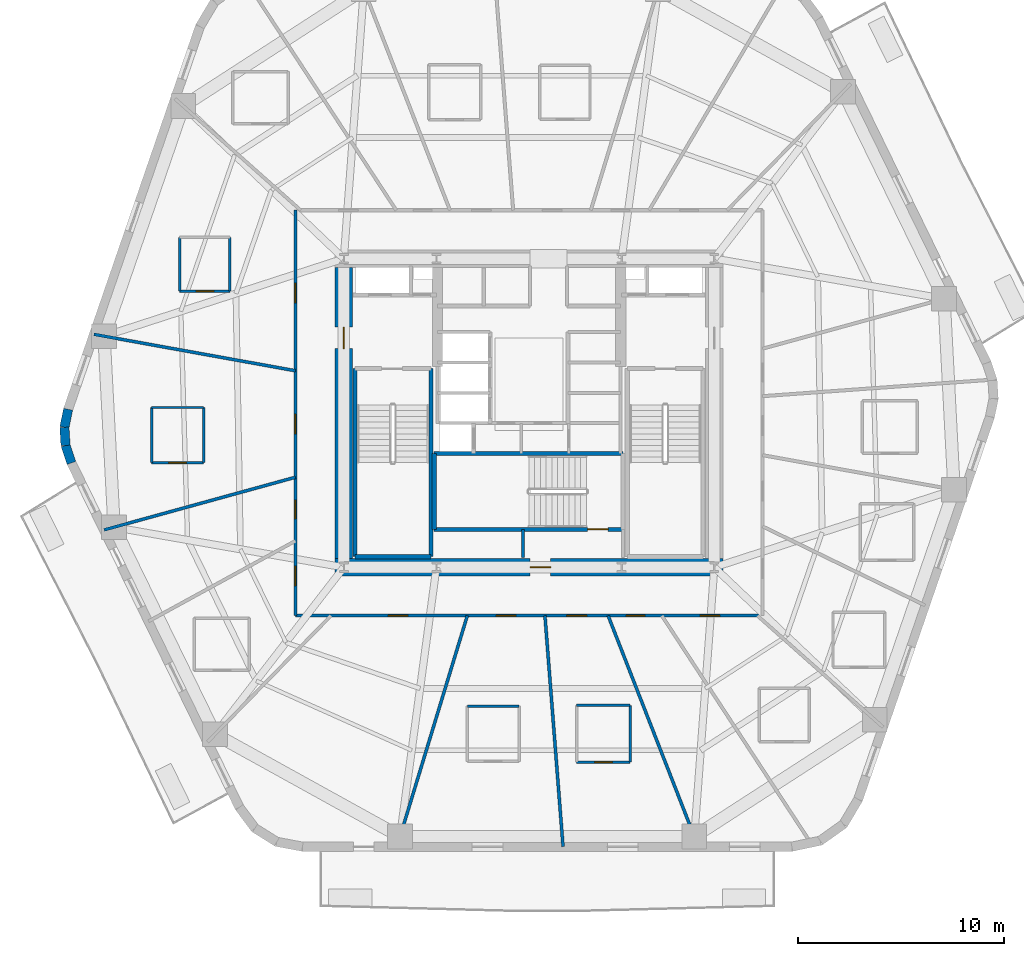
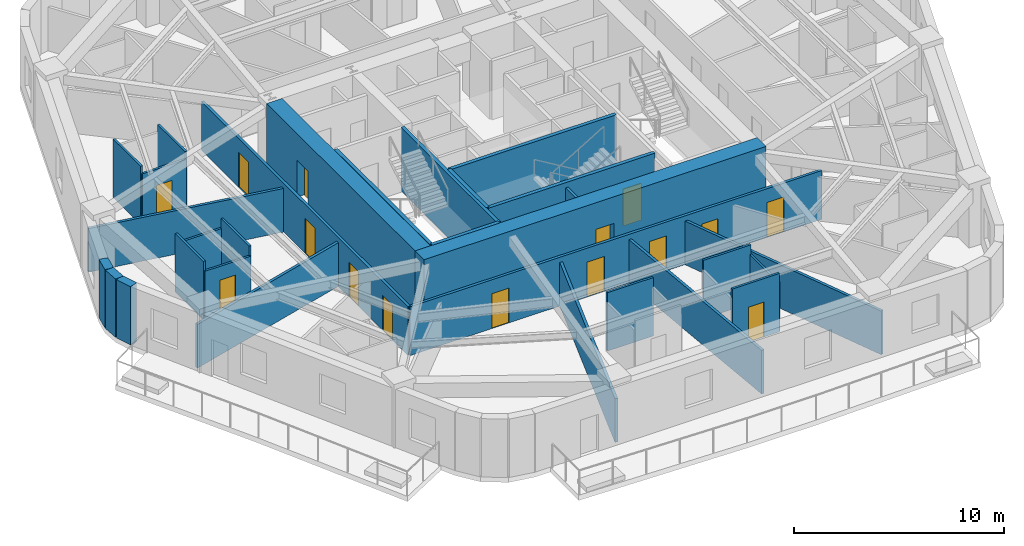
# One storey, part 3 of 10: 30 walls, 15 doors, 15 openings.
"""IFC4 building model written with IfcOpenShell, lengths in metres."""

from ifc_helpers import new_model, si_unit, direction, frame, frame_2d, origin, place, context, subcontext, project, spatial, rectangle, extrude, material, layer, layer_set, type_object, element, fill, save


model = new_model("IFC4")

# Units and contexts
model_context = context("Model", 3, precision=1e-05, world=origin(), true_north=direction((0.0, 1.0)))
body_context = subcontext(model_context, "Body", "Model", "MODEL_VIEW")
ifc_project = project(units=[si_unit("LENGTHUNIT", "METRE"), si_unit("AREAUNIT", "SQUARE_METRE"), si_unit("VOLUMEUNIT", "CUBIC_METRE"), si_unit("PLANEANGLEUNIT", "RADIAN"), si_unit("MASSUNIT", "GRAM", prefix="KILO")], contexts=[model_context])

# Site, building, storey
site_placement = place(None, origin())
site = spatial("IfcSite", under=ifc_project, at=site_placement, CompositionType="ELEMENT")
building_placement = place(site_placement, origin())
building = spatial("IfcBuilding", under=site, at=building_placement, Name="Kilnhurst Terrace Hotel", CompositionType="ELEMENT")
storey_placement = place(building_placement, frame((0.0, 0.0, 91.39990234375)))
storey = spatial("IfcBuildingStorey", under=building, at=storey_placement, Name="L21", CompositionType="ELEMENT", Elevation=91.39990234375)

# Walls
ifc_material_1 = material(Name="Precast concrete C40/50", Category="concrete")
ifc_layer_1 = layer(ifc_material_1, 0.449951171875, Name="Precast concrete C40/50")
ifc_layer_set_1 = layer_set([ifc_layer_1], Name="Precast concrete C40/50")
wall_type_1 = type_object("IfcWallType", Name="WL-BRK-450", PredefinedType="SOLIDWALL", material=ifc_layer_set_1)
wall_1_placement = place(storey_placement, frame((-22.39697265625, 0.17919921875, 0.0), z_axis=(0.0, 0.0, 1.0), x_axis=(-0.199313589404, -0.979935759669, 0.0)))
element("IfcWall", 1, at=wall_1_placement, inside=storey, type_object=wall_type_1, Name="L21 Rounded Corner Brick Wall C6.1", PredefinedType="SOLIDWALL", context=body_context, shape_type="SweptSolid", body=[
    extrude(rectangle(XDim=0.8955078125, YDim=0.449951171875, at=frame_2d((0.44775390625, 0.0))), origin(), (0.0, 0.0, 1.0), 3.400146484375),
])
wall_2_placement = place(storey_placement, frame((-22.575439453125, -0.6982421875, 0.0), z_axis=(0.0, 0.0, 1.0), x_axis=(0.060980441946, -0.998138961117, 0.0)))
element("IfcWall", 2, at=wall_2_placement, inside=storey, type_object=wall_type_1, Name="L21 Rounded Corner Brick Wall C6.2", PredefinedType="SOLIDWALL", context=body_context, shape_type="SweptSolid", body=[
    extrude(rectangle(XDim=0.880859375, YDim=0.449951171875, at=frame_2d((0.4404296875, 0.0))), origin(), (0.0, 0.0, 1.0), 3.400146484375),
])
wall_3_placement = place(storey_placement, frame((-22.521728515625, -1.577392578125, 0.0), z_axis=(0.0, 0.0, 1.0), x_axis=(0.317372694837, -0.948300887151, 0.0)))
element("IfcWall", 3, at=wall_3_placement, inside=storey, type_object=wall_type_1, Name="L21 Rounded Corner Brick Wall C6.3", PredefinedType="SOLIDWALL", context=body_context, shape_type="SweptSolid", body=[
    extrude(rectangle(XDim=0.8955078125, YDim=0.449951171875, at=frame_2d((0.44775390625, 0.0))), origin(), (0.0, 0.0, 1.0), 3.400146484375),
])

# Wall, openings, doors
ifc_material_2 = material(Name="Acoustic Double-Gypsum Corridor Partition Assembly")
ifc_layer_2 = layer(ifc_material_2, 0.14990234375, Name="Acoustic Double-Gypsum Corridor Partition Assembly")
ifc_layer_set_2 = layer_set([ifc_layer_2], Name="Acoustic Double-Gypsum Corridor Partition Assembly")
wall_type_2 = type_object("IfcWallType", Name="WL-COR-150", PredefinedType="PARTITIONING", material=ifc_layer_set_2)
wall_4_placement = place(storey_placement, frame((-11.35009765625, -9.85009765625, 0.0), z_axis=(0.0, 0.0, 1.0), x_axis=(0.0, 1.0, 0.0)))
wall_4 = element("IfcWall", 4, at=wall_4_placement, inside=storey, type_object=wall_type_2, Name="L21 Interior Wall WL-L21-COR-01", PredefinedType="PARTITIONING", context=body_context, shape_type="SweptSolid", body=[
    extrude(rectangle(XDim=19.7001953125, YDim=0.14990234375, at=frame_2d((9.85009765625, 0.0))), origin(), (0.0, 0.0, 1.0), 2.840087890625),
])
opening_1_placement = place(wall_4_placement, frame((15.205078125, 0.0, 0.0)))
opening_1 = element("IfcOpeningElement", 5, at=opening_1_placement, cuts=wall_4, Name="Opening D-60B", PredefinedType="OPENING", context=body_context, shape_type="SweptSolid", body=[
    extrude(rectangle(XDim=0.949951171875, YDim=2.030029296875, at=frame_2d((0.47509765625, 1.01513671875))), frame((0.0, 0.0849609375, 0.0), z_axis=(0.0, -1.0, 0.0), x_axis=(1.0, 0.0, 0.0)), (0.0, 0.0, 1.0), 0.169921875),
])
opening_2_placement = place(wall_4_placement, frame((8.8359375, 0.0, 0.0)))
opening_2 = element("IfcOpeningElement", 6, at=opening_2_placement, cuts=wall_4, Name="Opening D-60B", PredefinedType="OPENING", context=body_context, shape_type="SweptSolid", body=[
    extrude(rectangle(XDim=0.949951171875, YDim=2.030029296875, at=frame_2d((0.47509765625, 1.01513671875))), frame((0.0, 0.0849609375, 0.0), z_axis=(0.0, -1.0, 0.0), x_axis=(1.0, 0.0, 0.0)), (0.0, 0.0, 1.0), 0.169921875),
])
opening_3_placement = place(wall_4_placement, frame((4.714111328125, 0.0, 0.0)))
opening_3 = element("IfcOpeningElement", 7, at=opening_3_placement, cuts=wall_4, Name="Opening D-60C", PredefinedType="OPENING", context=body_context, shape_type="SweptSolid", body=[
    extrude(rectangle(XDim=0.89990234375, YDim=2.030029296875, at=frame_2d((0.449951171875, 1.01513671875))), frame((0.0, 0.0849609375, 0.0), z_axis=(0.0, -1.0, 0.0), x_axis=(1.0, 0.0, 0.0)), (0.0, 0.0, 1.0), 0.169921875),
])
opening_4_placement = place(wall_4_placement, frame((1.4619140625, 0.0, 0.0)))
opening_4 = element("IfcOpeningElement", 8, at=opening_4_placement, cuts=wall_4, Name="Opening D-60B", PredefinedType="OPENING", context=body_context, shape_type="SweptSolid", body=[
    extrude(rectangle(XDim=0.949951171875, YDim=2.030029296875, at=frame_2d((0.47509765625, 1.01513671875))), frame((0.0, 0.0849609375, 0.0), z_axis=(0.0, -1.0, 0.0), x_axis=(1.0, 0.0, 0.0)), (0.0, 0.0, 1.0), 0.169921875),
])
ifc_material_3 = material(Name="Painted Solid-Core Service Fire Door")
door_type_1 = type_object("IfcDoorType", Name="DR-FD60-900", OperationType="NOTDEFINED", PredefinedType="DOOR", material=ifc_material_3)
door_1_placement = place(opening_3_placement, origin())
door_1 = element("IfcDoor", 9, at=door_1_placement, inside=storey, type_object=door_type_1, Name="L21 Wellness Consultation Room Door 11", OperationType="SINGLE_SWING_LEFT", OverallHeight=2.030029296875, OverallWidth=0.89990234375, PredefinedType="DOOR", context=body_context, shape_type="SweptSolid", body=[
    extrude(rectangle(XDim=0.89990234375, YDim=2.030029296875, at=frame_2d((0.449951171875, 1.01513671875))), frame((0.0, 0.02490234375, 0.0), z_axis=(0.0, -1.0, 0.0), x_axis=(1.0, 0.0, 0.0)), (0.0, 0.0, 1.0), 0.050048828125),
])
fill(opening_3, door_1)
ifc_material_4 = material(Name="Acoustic Walnut Veneer Solid-Core Fire Door")
door_type_2 = type_object("IfcDoorType", Name="DR-FD60-950", OperationType="NOTDEFINED", PredefinedType="DOOR", material=ifc_material_4)
door_2_placement = place(opening_1_placement, origin())
door_2 = element("IfcDoor", 10, at=door_2_placement, inside=storey, type_object=door_type_2, Name="L21 Executive Suite Entry Door 9", OperationType="SINGLE_SWING_LEFT", OverallHeight=2.030029296875, OverallWidth=0.949951171875, PredefinedType="DOOR", context=body_context, shape_type="SweptSolid", body=[
    extrude(rectangle(XDim=0.949951171875, YDim=2.030029296875, at=frame_2d((0.47509765625, 1.01513671875))), frame((0.0, 0.02490234375, 0.0), z_axis=(0.0, -1.0, 0.0), x_axis=(1.0, 0.0, 0.0)), (0.0, 0.0, 1.0), 0.050048828125),
])
fill(opening_1, door_2)
door_3_placement = place(opening_2_placement, origin())
door_3 = element("IfcDoor", 11, at=door_3_placement, inside=storey, type_object=door_type_2, Name="L21 Executive Suite Entry Door 10", OperationType="SINGLE_SWING_RIGHT", OverallHeight=2.030029296875, OverallWidth=0.949951171875, PredefinedType="DOOR", context=body_context, shape_type="SweptSolid", body=[
    extrude(rectangle(XDim=0.949951171875, YDim=2.030029296875, at=frame_2d((0.47509765625, 1.01513671875))), frame((0.0, 0.02490234375, 0.0), z_axis=(0.0, -1.0, 0.0), x_axis=(1.0, 0.0, 0.0)), (0.0, 0.0, 1.0), 0.050048828125),
])
fill(opening_2, door_3)
door_4_placement = place(opening_4_placement, origin())
door_4 = element("IfcDoor", 12, at=door_4_placement, inside=storey, type_object=door_type_2, Name="L21 Guest Room Entry Door 12", OperationType="SINGLE_SWING_RIGHT", OverallHeight=2.030029296875, OverallWidth=0.949951171875, PredefinedType="DOOR", context=body_context, shape_type="SweptSolid", body=[
    extrude(rectangle(XDim=0.949951171875, YDim=2.030029296875, at=frame_2d((0.47509765625, 1.01513671875))), frame((0.0, 0.02490234375, 0.0), z_axis=(0.0, -1.0, 0.0), x_axis=(1.0, 0.0, 0.0)), (0.0, 0.0, 1.0), 0.050048828125),
])
fill(opening_4, door_4)

wall_5_placement = place(storey_placement, frame((11.35009765625, -9.85009765625, 0.0), z_axis=(0.0, 0.0, 1.0), x_axis=(-1.0, 0.0, 0.0)))
wall_5 = element("IfcWall", 13, at=wall_5_placement, inside=storey, type_object=wall_type_2, Name="L21 Interior Wall WL-L21-COR-04", PredefinedType="PARTITIONING", context=body_context, shape_type="SweptSolid", body=[
    extrude(rectangle(XDim=22.7001953125, YDim=0.14990234375, at=frame_2d((11.35009765625, 0.0))), origin(), (0.0, 0.0, 1.0), 2.840087890625),
])
opening_5_placement = place(wall_5_placement, frame((17.237060546875, 0.0, 0.0)))
opening_5 = element("IfcOpeningElement", 14, at=opening_5_placement, cuts=wall_5, Name="Opening D-60B", PredefinedType="OPENING", context=body_context, shape_type="SweptSolid", body=[
    extrude(rectangle(XDim=0.949951171875, YDim=2.030029296875, at=frame_2d((0.47509765625, 1.01513671875))), frame((0.0, 0.0849609375, 0.0), z_axis=(0.0, -1.0, 0.0), x_axis=(1.0, 0.0, 0.0)), (0.0, 0.0, 1.0), 0.169921875),
])
opening_6_placement = place(wall_5_placement, frame((11.993896484375, 0.0, 0.0)))
opening_6 = element("IfcOpeningElement", 15, at=opening_6_placement, cuts=wall_5, Name="Opening D-60B", PredefinedType="OPENING", context=body_context, shape_type="SweptSolid", body=[
    extrude(rectangle(XDim=0.949951171875, YDim=2.030029296875, at=frame_2d((0.47509765625, 1.01513671875))), frame((0.0, 0.0849609375, 0.0), z_axis=(0.0, -1.0, 0.0), x_axis=(1.0, 0.0, 0.0)), (0.0, 0.0, 1.0), 0.169921875),
])
opening_7_placement = place(wall_5_placement, frame((8.55908203125, 0.0, 0.0)))
opening_7 = element("IfcOpeningElement", 16, at=opening_7_placement, cuts=wall_5, Name="Opening D-60B", PredefinedType="OPENING", context=body_context, shape_type="SweptSolid", body=[
    extrude(rectangle(XDim=0.949951171875, YDim=2.030029296875, at=frame_2d((0.47509765625, 1.01513671875))), frame((0.0, 0.0849609375, 0.0), z_axis=(0.0, -1.0, 0.0), x_axis=(1.0, 0.0, 0.0)), (0.0, 0.0, 1.0), 0.169921875),
])
opening_8_placement = place(wall_5_placement, frame((5.72802734375, 0.0, 0.0)))
opening_8 = element("IfcOpeningElement", 17, at=opening_8_placement, cuts=wall_5, Name="Opening D-60C", PredefinedType="OPENING", context=body_context, shape_type="SweptSolid", body=[
    extrude(rectangle(XDim=0.89990234375, YDim=2.030029296875, at=frame_2d((0.449951171875, 1.01513671875))), frame((0.0, 0.0849609375, 0.0), z_axis=(0.0, -1.0, 0.0), x_axis=(1.0, 0.0, 0.0)), (0.0, 0.0, 1.0), 0.169921875),
])
opening_9_placement = place(wall_5_placement, frame((2.093017578125, 0.0, 0.0)))
opening_9 = element("IfcOpeningElement", 18, at=opening_9_placement, cuts=wall_5, Name="Opening D-60B", PredefinedType="OPENING", context=body_context, shape_type="SweptSolid", body=[
    extrude(rectangle(XDim=0.949951171875, YDim=2.030029296875, at=frame_2d((0.47509765625, 1.01513671875))), frame((0.0, 0.0849609375, 0.0), z_axis=(0.0, -1.0, 0.0), x_axis=(1.0, 0.0, 0.0)), (0.0, 0.0, 1.0), 0.169921875),
])
door_5_placement = place(opening_8_placement, origin())
door_5 = element("IfcDoor", 19, at=door_5_placement, inside=storey, type_object=door_type_1, Name="L21 Private Tasting Dining Room Door 16", OperationType="SINGLE_SWING_RIGHT", OverallHeight=2.030029296875, OverallWidth=0.89990234375, PredefinedType="DOOR", context=body_context, shape_type="SweptSolid", body=[
    extrude(rectangle(XDim=0.89990234375, YDim=2.030029296875, at=frame_2d((0.449951171875, 1.01513671875))), frame((0.0, 0.02490234375, 0.0), z_axis=(0.0, -1.0, 0.0), x_axis=(1.0, 0.0, 0.0)), (0.0, 0.0, 1.0), 0.050048828125),
])
fill(opening_8, door_5)
door_6_placement = place(opening_5_placement, origin())
door_6 = element("IfcDoor", 20, at=door_6_placement, inside=storey, type_object=door_type_2, Name="L21 Wellness Spa Room Door", OperationType="SINGLE_SWING_LEFT", OverallHeight=2.030029296875, OverallWidth=0.949951171875, PredefinedType="DOOR", context=body_context, shape_type="SweptSolid", body=[
    extrude(rectangle(XDim=0.949951171875, YDim=2.030029296875, at=frame_2d((0.47509765625, 1.01513671875))), frame((0.0, 0.02490234375, 0.0), z_axis=(0.0, -1.0, 0.0), x_axis=(1.0, 0.0, 0.0)), (0.0, 0.0, 1.0), 0.050048828125),
])
fill(opening_5, door_6)
door_7_placement = place(opening_6_placement, origin())
door_7 = element("IfcDoor", 21, at=door_7_placement, inside=storey, type_object=door_type_2, Name="L21 Guest Room Entry Door 14", OperationType="SINGLE_SWING_RIGHT", OverallHeight=2.030029296875, OverallWidth=0.949951171875, PredefinedType="DOOR", context=body_context, shape_type="SweptSolid", body=[
    extrude(rectangle(XDim=0.949951171875, YDim=2.030029296875, at=frame_2d((0.47509765625, 1.01513671875))), frame((0.0, 0.02490234375, 0.0), z_axis=(0.0, -1.0, 0.0), x_axis=(1.0, 0.0, 0.0)), (0.0, 0.0, 1.0), 0.050048828125),
])
fill(opening_6, door_7)
door_8_placement = place(opening_7_placement, origin())
door_8 = element("IfcDoor", 22, at=door_8_placement, inside=storey, type_object=door_type_2, Name="L21 Guest Room Entry Door 15", OperationType="SINGLE_SWING_LEFT", OverallHeight=2.030029296875, OverallWidth=0.949951171875, PredefinedType="DOOR", context=body_context, shape_type="SweptSolid", body=[
    extrude(rectangle(XDim=0.949951171875, YDim=2.030029296875, at=frame_2d((0.47509765625, 1.01513671875))), frame((0.0, 0.02490234375, 0.0), z_axis=(0.0, -1.0, 0.0), x_axis=(1.0, 0.0, 0.0)), (0.0, 0.0, 1.0), 0.050048828125),
])
fill(opening_7, door_8)
door_9_placement = place(opening_9_placement, origin())
door_9 = element("IfcDoor", 23, at=door_9_placement, inside=storey, type_object=door_type_2, Name="L21 Guest Room Entry Door 17", OperationType="SINGLE_SWING_LEFT", OverallHeight=2.030029296875, OverallWidth=0.949951171875, PredefinedType="DOOR", context=body_context, shape_type="SweptSolid", body=[
    extrude(rectangle(XDim=0.949951171875, YDim=2.030029296875, at=frame_2d((0.47509765625, 1.01513671875))), frame((0.0, 0.02490234375, 0.0), z_axis=(0.0, -1.0, 0.0), x_axis=(1.0, 0.0, 0.0)), (0.0, 0.0, 1.0), 0.050048828125),
])
fill(opening_9, door_9)

# Wall, opening, door
ifc_material_5 = material(Name="Concrete C80/95", Category="concrete")
ifc_layer_3 = layer(ifc_material_5, 0.85009765625, Name="Concrete C80/95")
ifc_layer_set_3 = layer_set([ifc_layer_3], Name="Concrete C80/95")
wall_type_3 = type_object("IfcWallType", Name="WL-CORE-850", PredefinedType="SHEAR", material=ifc_layer_set_3)
wall_6_placement = place(storey_placement, frame((-9.425048828125, -7.5, 0.0), z_axis=(0.0, 0.0, 1.0), x_axis=(1.0, 0.0, 0.0)))
wall_6 = element("IfcWall", 24, at=wall_6_placement, inside=storey, type_object=wall_type_3, Name="L21 Core South Shear Wall", PredefinedType="SHEAR", context=body_context, shape_type="SweptSolid", body=[
    extrude(rectangle(XDim=18.85009765625, YDim=0.85009765625, at=frame_2d((9.425048828125, 0.0))), origin(), (0.0, 0.0, 1.0), 3.7001953125),
])
opening_10_placement = place(wall_6_placement, frame((9.47509765625, 0.0, 0.0)))
opening_10 = element("IfcOpeningElement", 25, at=opening_10_placement, cuts=wall_6, Name="Opening D-90B", PredefinedType="OPENING", context=body_context, shape_type="SweptSolid", body=[
    extrude(rectangle(XDim=1.0, YDim=2.14990234375, at=frame_2d((0.5, 1.074951171875))), frame((0.0, 0.43505859375, 0.0), z_axis=(0.0, -1.0, 0.0), x_axis=(1.0, 0.0, 0.0)), (0.0, 0.0, 1.0), 0.8701171875),
])
ifc_material_6 = material(Name="Painted Hollow Metal Steel ASTM A36 Fire Door", Category="steel")
door_type_3 = type_object("IfcDoorType", Name="DR-FD90-1000", OperationType="NOTDEFINED", PredefinedType="DOOR", material=ifc_material_6)
door_10_placement = place(opening_10_placement, origin())
door_10 = element("IfcDoor", 26, at=door_10_placement, inside=storey, type_object=door_type_3, Name="L21 Stair ST-3 Corridor Door", OperationType="SINGLE_SWING_RIGHT", OverallHeight=2.14990234375, OverallWidth=1.0, PredefinedType="DOOR", context=body_context, shape_type="SweptSolid", body=[
    extrude(rectangle(XDim=1.0, YDim=2.14990234375, at=frame_2d((0.5, 1.074951171875))), frame((0.0, 0.02490234375, 0.0), z_axis=(0.0, -1.0, 0.0), x_axis=(1.0, 0.0, 0.0)), (0.0, 0.0, 1.0), 0.050048828125),
])
fill(opening_10, door_10)

wall_7_placement = place(storey_placement, frame((-9.0, -7.074951171875, 0.0), z_axis=(0.0, 0.0, 1.0), x_axis=(0.0, 1.0, 0.0)))
wall_7 = element("IfcWall", 27, at=wall_7_placement, inside=storey, type_object=wall_type_3, Name="L21 Core West Shear Wall", PredefinedType="SHEAR", context=body_context, shape_type="SweptSolid", body=[
    extrude(rectangle(XDim=14.14990234375, YDim=0.85009765625, at=frame_2d((7.074951171875, 0.0))), origin(), (0.0, 0.0, 1.0), 3.7001953125),
])
opening_11_placement = place(wall_7_placement, frame((10.199951171875, 0.0, 0.0)))
opening_11 = element("IfcOpeningElement", 28, at=opening_11_placement, cuts=wall_7, Name="Opening D-90A", PredefinedType="OPENING", context=body_context, shape_type="SweptSolid", body=[
    extrude(rectangle(XDim=1.050048828125, YDim=2.14990234375, at=frame_2d((0.52490234375, 1.074951171875))), frame((0.0, 0.43505859375, 0.0), z_axis=(0.0, -1.0, 0.0), x_axis=(1.0, 0.0, 0.0)), (0.0, 0.0, 1.0), 0.8701171875),
])
door_type_4 = type_object("IfcDoorType", Name="DR-FD90-1050", OperationType="NOTDEFINED", PredefinedType="DOOR", material=ifc_material_6)
door_11_placement = place(opening_11_placement, origin())
door_11 = element("IfcDoor", 29, at=door_11_placement, inside=storey, type_object=door_type_4, Name="L21 West Firefighting Lobby Door", OperationType="SINGLE_SWING_RIGHT", OverallHeight=2.14990234375, OverallWidth=1.050048828125, PredefinedType="DOOR", context=body_context, shape_type="SweptSolid", body=[
    extrude(rectangle(XDim=1.050048828125, YDim=2.14990234375, at=frame_2d((0.52490234375, 1.074951171875))), frame((0.0, 0.02490234375, 0.0), z_axis=(0.0, -1.0, 0.0), x_axis=(1.0, 0.0, 0.0)), (0.0, 0.0, 1.0), 0.050048828125),
])
fill(opening_11, door_11)

# Walls
ifc_material_7 = material(Name="STC-58 Acoustic Twin-Frame Guestroom Demising Partition")
ifc_layer_4 = layer(ifc_material_7, 0.14990234375, Name="STC-58 Acoustic Twin-Frame Guestroom Demising Partition")
ifc_layer_set_4 = layer_set([ifc_layer_4], Name="STC-58 Acoustic Twin-Frame Guestroom Demising Partition")
wall_type_4 = type_object("IfcWallType", Name="WL-DEM-150", PredefinedType="PARTITIONING", material=ifc_layer_set_4)
wall_8_placement = place(storey_placement, frame((-11.35009765625, 2.05078125, 0.0), z_axis=(0.0, 0.0, 1.0), x_axis=(-0.984068313063, 0.177790762484, 0.0)))
element("IfcWall", 30, at=wall_8_placement, inside=storey, type_object=wall_type_4, Name="L21 Interior Wall WL-L21-DEM-COL06-10-1", PredefinedType="PARTITIONING", context=body_context, shape_type="SweptSolid", body=[
    extrude(rectangle(XDim=9.951416015625, YDim=0.14990234375, at=frame_2d((4.9755859375, 0.0))), origin(), (0.0, 0.0, 1.0), 2.5400390625),
])
wall_9_placement = place(storey_placement, frame((-11.35009765625, -3.123291015625, 0.0), z_axis=(0.0, 0.0, 1.0), x_axis=(-0.964151983214, -0.265350623261, 0.0)))
element("IfcWall", 31, at=wall_9_placement, inside=storey, type_object=wall_type_4, Name="L21 Interior Wall WL-L21-DEM-COL07-11-1", PredefinedType="PARTITIONING", context=body_context, shape_type="SweptSolid", body=[
    extrude(rectangle(XDim=9.64501953125, YDim=0.14990234375, at=frame_2d((4.822509765625, 0.0))), origin(), (0.0, 0.0, 1.0), 2.5400390625),
])
wall_10_placement = place(storey_placement, frame((-3.0, -9.85009765625, 0.0), z_axis=(0.0, 0.0, 1.0), x_axis=(-0.291352035382, -0.95661590593, 0.0)))
element("IfcWall", 32, at=wall_10_placement, inside=storey, type_object=wall_type_4, Name="L21 Interior Wall WL-L21-DEM-COL09-14-1", PredefinedType="PARTITIONING", context=body_context, shape_type="SweptSolid", body=[
    extrude(rectangle(XDim=11.73388671875, YDim=0.14990234375, at=frame_2d((5.866943359375, 0.0))), origin(), (0.0, 0.0, 1.0), 2.5400390625),
])
wall_11_placement = place(storey_placement, frame((0.771728515625, -9.85009765625, 0.0), z_axis=(0.0, 0.0, 1.0), x_axis=(0.078125747145, -0.996943512759, 0.0)))
element("IfcWall", 33, at=wall_11_placement, inside=storey, type_object=wall_type_4, Name="L21 Interior Wall WL-L21-DEM-MID09-15-1", PredefinedType="PARTITIONING", context=body_context, shape_type="SweptSolid", body=[
    extrude(rectangle(XDim=11.25927734375, YDim=0.14990234375, at=frame_2d((5.629638671875, 0.0))), origin(), (0.0, 0.0, 1.0), 2.5400390625),
])
wall_12_placement = place(storey_placement, frame((3.84228515625, -9.85009765625, 0.0), z_axis=(0.0, 0.0, 1.0), x_axis=(0.363432685593, -0.931620460833, 0.0)))
element("IfcWall", 34, at=wall_12_placement, inside=storey, type_object=wall_type_4, Name="L21 Interior Wall WL-L21-DEM-COL10-16-1", PredefinedType="PARTITIONING", context=body_context, shape_type="SweptSolid", body=[
    extrude(rectangle(XDim=12.048828125, YDim=0.14990234375, at=frame_2d((6.0244140625, 0.0))), origin(), (0.0, 0.0, 1.0), 2.5400390625),
])

# Wall, opening, door
ifc_material_8 = material(Name="120 mm Moisture-Resistant Tile-Backed Bathroom Partition")
ifc_layer_5 = layer(ifc_material_8, 0.1201171875, Name="120 mm Moisture-Resistant Tile-Backed Bathroom Partition")
ifc_layer_set_5 = layer_set([ifc_layer_5], Name="120 mm Moisture-Resistant Tile-Backed Bathroom Partition")
wall_type_5 = type_object("IfcWallType", Name="WL-PART-120", PredefinedType="PARTITIONING", material=ifc_layer_set_5)
wall_13_placement = place(storey_placement, frame((-16.97412109375, 5.925048828125, 0.0), z_axis=(0.0, 0.0, 1.0), x_axis=(1.0, 0.0, 0.0)))
wall_13 = element("IfcWall", 35, at=wall_13_placement, inside=storey, type_object=wall_type_5, Name="L21 Interior Wall WL-L21-BTH-09-1", PredefinedType="PARTITIONING", context=body_context, shape_type="SweptSolid", body=[
    extrude(rectangle(XDim=2.440185546875, YDim=0.1201171875, at=frame_2d((1.22021484375, 0.0))), origin(), (0.0, 0.0, 1.0), 2.972412109375),
])
opening_12_placement = place(wall_13_placement, frame((0.794921875, 0.0, 0.0)))
opening_12 = element("IfcOpeningElement", 36, at=opening_12_placement, cuts=wall_13, Name="Opening D-08A", PredefinedType="OPENING", context=body_context, shape_type="SweptSolid", body=[
    extrude(rectangle(XDim=0.85009765625, YDim=2.030029296875, at=frame_2d((0.425048828125, 1.01513671875))), frame((0.0, 0.070068359375, 0.0), z_axis=(0.0, -1.0, 0.0), x_axis=(1.0, 0.0, 0.0)), (0.0, 0.0, 1.0), 0.14013671875),
])
ifc_material_9 = material(Name="Moisture-Resistant Lacquered En-suite Bathroom Door")
door_type_5 = type_object("IfcDoorType", Name="DR-INT-850", OperationType="NOTDEFINED", PredefinedType="DOOR", material=ifc_material_9)
door_12_placement = place(opening_12_placement, origin())
door_12 = element("IfcDoor", 37, at=door_12_placement, inside=storey, type_object=door_type_5, Name="L21 En-suite Bathroom Door 9", OperationType="SINGLE_SWING_RIGHT", OverallHeight=2.030029296875, OverallWidth=0.85009765625, PredefinedType="DOOR", context=body_context, shape_type="SweptSolid", body=[
    extrude(rectangle(XDim=0.85009765625, YDim=2.030029296875, at=frame_2d((0.425048828125, 1.01513671875))), frame((0.0, 0.02490234375, 0.0), z_axis=(0.0, -1.0, 0.0), x_axis=(1.0, 0.0, 0.0)), (0.0, 0.0, 1.0), 0.050048828125),
])
fill(opening_12, door_12)

# Walls
for number, where, z_axis, x_axis, name in (
    (38, (-14.533935546875, 5.925048828125, 0.0), (0.0, 0.0, 1.0), (0.0, 1.0, 0.0), "L21 Interior Wall WL-L21-BTH-09-2"),
    (39, (-16.97412109375, 8.534912109375, 0.0), (0.0, 0.0, 1.0), (0.0, -1.0, 0.0), "L21 Interior Wall WL-L21-BTH-09-4"),
):
    element("IfcWall", number, at=place(storey_placement, frame(where, z_axis=z_axis, x_axis=x_axis)), inside=storey, type_object=wall_type_5, Name=name, PredefinedType="PARTITIONING", context=body_context, shape_type="SweptSolid", body=[
        extrude(rectangle(XDim=2.60986328125, YDim=0.1201171875, at=frame_2d((1.304931640625, 0.0))), origin(), (0.0, 0.0, 1.0), 3.400146484375),
    ])

# Wall, opening, door
wall_14_placement = place(storey_placement, frame((-18.3349609375, -2.4140625, 0.0), z_axis=(0.0, 0.0, 1.0), x_axis=(1.0, 0.0, 0.0)))
wall_14 = element("IfcWall", 40, at=wall_14_placement, inside=storey, type_object=wall_type_5, Name="L21 Interior Wall WL-L21-BTH-10-1", PredefinedType="PARTITIONING", context=body_context, shape_type="SweptSolid", body=[
    extrude(rectangle(XDim=2.52001953125, YDim=0.1201171875, at=frame_2d((1.260009765625, 0.0))), origin(), (0.0, 0.0, 1.0), 2.840576171875),
])
opening_13_placement = place(wall_14_placement, frame((0.8349609375, 0.0, 0.0)))
opening_13 = element("IfcOpeningElement", 41, at=opening_13_placement, cuts=wall_14, Name="Opening D-08A", PredefinedType="OPENING", context=body_context, shape_type="SweptSolid", body=[
    extrude(rectangle(XDim=0.85009765625, YDim=2.030029296875, at=frame_2d((0.425048828125, 1.01513671875))), frame((0.0, 0.070068359375, 0.0), z_axis=(0.0, -1.0, 0.0), x_axis=(1.0, 0.0, 0.0)), (0.0, 0.0, 1.0), 0.14013671875),
])
door_13_placement = place(opening_13_placement, origin())
door_13 = element("IfcDoor", 42, at=door_13_placement, inside=storey, type_object=door_type_5, Name="L21 En-suite Bathroom Door 10", OperationType="SINGLE_SWING_LEFT", OverallHeight=2.030029296875, OverallWidth=0.85009765625, PredefinedType="DOOR", context=body_context, shape_type="SweptSolid", body=[
    extrude(rectangle(XDim=0.85009765625, YDim=2.030029296875, at=frame_2d((0.425048828125, 1.01513671875))), frame((0.0, 0.02490234375, 0.0), z_axis=(0.0, -1.0, 0.0), x_axis=(1.0, 0.0, 0.0)), (0.0, 0.0, 1.0), 0.050048828125),
])
fill(opening_13, door_13)

# Walls
wall_15_placement = place(storey_placement, frame((-15.81494140625, -2.4140625, 0.0), z_axis=(0.0, 0.0, 1.0), x_axis=(0.0, 1.0, 0.0)))
element("IfcWall", 43, at=wall_15_placement, inside=storey, type_object=wall_type_5, Name="L21 Interior Wall WL-L21-BTH-10-2", PredefinedType="PARTITIONING", context=body_context, shape_type="SweptSolid", body=[
    extrude(rectangle(XDim=2.68017578125, YDim=0.1201171875, at=frame_2d((1.340087890625, 0.0))), origin(), (0.0, 0.0, 1.0), 3.400146484375),
])
wall_16_placement = place(storey_placement, frame((-15.81494140625, 0.26611328125, 0.0), z_axis=(0.0, 0.0, 1.0), x_axis=(-1.0, 0.0, 0.0)))
element("IfcWall", 44, at=wall_16_placement, inside=storey, type_object=wall_type_5, Name="L21 Interior Wall WL-L21-BTH-10-3", PredefinedType="PARTITIONING", context=body_context, shape_type="SweptSolid", body=[
    extrude(rectangle(XDim=2.52001953125, YDim=0.1201171875, at=frame_2d((1.260009765625, 0.0))), origin(), (0.0, 0.0, 1.0), 2.840576171875),
])
wall_17_placement = place(storey_placement, frame((-18.3349609375, 0.26611328125, 0.0), z_axis=(0.0, 0.0, 1.0), x_axis=(0.0, -1.0, 0.0)))
element("IfcWall", 45, at=wall_17_placement, inside=storey, type_object=wall_type_5, Name="L21 Interior Wall WL-L21-BTH-10-4", PredefinedType="PARTITIONING", context=body_context, shape_type="SweptSolid", body=[
    extrude(rectangle(XDim=2.68017578125, YDim=0.1201171875, at=frame_2d((1.340087890625, 0.0))), origin(), (0.0, 0.0, 1.0), 3.400146484375),
])
wall_18_placement = place(storey_placement, frame((-0.48095703125, -14.2470703125, 0.0), z_axis=(0.0, 0.0, 1.0), x_axis=(-1.0, 0.0, 0.0)))
element("IfcWall", 46, at=wall_18_placement, inside=storey, type_object=wall_type_5, Name="L21 Interior Wall WL-L21-BTH-14-3", PredefinedType="PARTITIONING", context=body_context, shape_type="SweptSolid", body=[
    extrude(rectangle(XDim=2.52001953125, YDim=0.1201171875, at=frame_2d((1.260009765625, 0.0))), origin(), (0.0, 0.0, 1.0), 3.400146484375),
])

# Wall, opening, door
wall_19_placement = place(storey_placement, frame((2.31396484375, -16.9619140625, 0.0), z_axis=(0.0, 0.0, 1.0), x_axis=(1.0, 0.0, 0.0)))
wall_19 = element("IfcWall", 47, at=wall_19_placement, inside=storey, type_object=wall_type_5, Name="L21 Interior Wall WL-L21-BTH-15-1", PredefinedType="PARTITIONING", context=body_context, shape_type="SweptSolid", body=[
    extrude(rectangle(XDim=2.60009765625, YDim=0.1201171875, at=frame_2d((1.300048828125, 0.0))), origin(), (0.0, 0.0, 1.0), 3.400146484375),
])
opening_14_placement = place(wall_19_placement, frame((0.875, 0.0, 0.0)))
opening_14 = element("IfcOpeningElement", 48, at=opening_14_placement, cuts=wall_19, Name="Opening D-08A", PredefinedType="OPENING", context=body_context, shape_type="SweptSolid", body=[
    extrude(rectangle(XDim=0.85009765625, YDim=2.030029296875, at=frame_2d((0.425048828125, 1.01513671875))), frame((0.0, 0.070068359375, 0.0), z_axis=(0.0, -1.0, 0.0), x_axis=(1.0, 0.0, 0.0)), (0.0, 0.0, 1.0), 0.14013671875),
])
door_14_placement = place(opening_14_placement, origin())
door_14 = element("IfcDoor", 49, at=door_14_placement, inside=storey, type_object=door_type_5, Name="L21 En-suite Bathroom Door 15", OperationType="SINGLE_SWING_RIGHT", OverallHeight=2.030029296875, OverallWidth=0.85009765625, PredefinedType="DOOR", context=body_context, shape_type="SweptSolid", body=[
    extrude(rectangle(XDim=0.85009765625, YDim=2.030029296875, at=frame_2d((0.425048828125, 1.01513671875))), frame((0.0, 0.02490234375, 0.0), z_axis=(0.0, -1.0, 0.0), x_axis=(1.0, 0.0, 0.0)), (0.0, 0.0, 1.0), 0.050048828125),
])
fill(opening_14, door_14)

# Walls
wall_20_placement = place(storey_placement, frame((4.9140625, -16.9619140625, 0.0), z_axis=(0.0, 0.0, 1.0), x_axis=(0.0, 1.0, 0.0)))
element("IfcWall", 50, at=wall_20_placement, inside=storey, type_object=wall_type_5, Name="L21 Interior Wall WL-L21-BTH-15-2", PredefinedType="PARTITIONING", context=body_context, shape_type="SweptSolid", body=[
    extrude(rectangle(XDim=2.75, YDim=0.1201171875, at=frame_2d((1.375, 0.0))), origin(), (0.0, 0.0, 1.0), 2.840576171875),
])
wall_21_placement = place(storey_placement, frame((4.9140625, -14.2119140625, 0.0), z_axis=(0.0, 0.0, 1.0), x_axis=(-1.0, 0.0, 0.0)))
element("IfcWall", 51, at=wall_21_placement, inside=storey, type_object=wall_type_5, Name="L21 Interior Wall WL-L21-BTH-15-3", PredefinedType="PARTITIONING", context=body_context, shape_type="SweptSolid", body=[
    extrude(rectangle(XDim=2.60009765625, YDim=0.1201171875, at=frame_2d((1.300048828125, 0.0))), origin(), (0.0, 0.0, 1.0), 3.400146484375),
])
ifc_material_10 = material(Name="Fire-Rated Gypsum Shaftliner Assembly")
ifc_layer_6 = layer(ifc_material_10, 0.14990234375, Name="Fire-Rated Gypsum Shaftliner Assembly")
ifc_layer_set_6 = layer_set([ifc_layer_6], Name="Fire-Rated Gypsum Shaftliner Assembly")
wall_type_6 = type_object("IfcWallType", Name="WL-SHAFT-150", PredefinedType="PARTITIONING", material=ifc_layer_set_6)
wall_22_placement = place(storey_placement, frame((-0.300048828125, -7.02001953125, 0.0), z_axis=(0.0, 0.0, 1.0), x_axis=(0.0, 1.0, 0.0)))
element("IfcWall", 52, at=wall_22_placement, inside=storey, type_object=wall_type_6, Name="L21 Interior Wall WL-L21-ST3-PSGW", PredefinedType="PARTITIONING", context=body_context, shape_type="SweptSolid", body=[
    extrude(rectangle(XDim=1.362060546875, YDim=0.14990234375, at=frame_2d((0.68115234375, 0.0))), origin(), (0.0, 0.0, 1.0), 3.400146484375),
])
ifc_material_11 = material(Name="Concrete C50/60", Category="concrete")
ifc_layer_7 = layer(ifc_material_11, 0.199951171875, Name="Concrete C50/60")
ifc_layer_set_7 = layer_set([ifc_layer_7], Name="Concrete C50/60")
wall_type_7 = type_object("IfcWallType", Name="WL-STAIR-RC-200", PredefinedType="SHEAR", material=ifc_layer_set_7)
for number, where, z_axis, x_axis, name in (
    (53, (-8.4580078125, -6.985107421875, 0.0), (0.0, 0.0, 1.0), (0.0, 1.0, 0.0), "L21 Structural Stair Shaft Wall WL-L21-ST1-W"),
    (54, (-4.77197265625, -6.985107421875, 0.0), (0.0, 0.0, 1.0), (0.0, 1.0, 0.0), "L21 Structural Stair Shaft Wall WL-L21-ST1-E"),
):
    element("IfcWall", number, at=place(storey_placement, frame(where, z_axis=z_axis, x_axis=x_axis)), inside=storey, type_object=wall_type_7, Name=name, PredefinedType="SHEAR", context=body_context, shape_type="SweptSolid", body=[
        extrude(rectangle(XDim=9.14306640625, YDim=0.199951171875, at=frame_2d((4.571533203125, 0.0))), origin(), (0.0, 0.0, 1.0), 3.7001953125),
    ])
for number, where, z_axis, x_axis, name in (
    (55, (-8.4580078125, -6.985107421875, 0.0), (0.0, 0.0, 1.0), (1.0, 0.0, 0.0), "L21 Structural Stair Shaft Wall WL-L21-ST1-S"),
    (56, (-4.60791015625, -5.657958984375, 0.0), (0.0, 0.0, 1.0), (0.0, 1.0, 0.0), "L21 Structural Stair Shaft Wall WL-L21-ST3-W"),
):
    element("IfcWall", number, at=place(storey_placement, frame(where, z_axis=z_axis, x_axis=x_axis)), inside=storey, type_object=wall_type_7, Name=name, PredefinedType="SHEAR", context=body_context, shape_type="SweptSolid", body=[
        extrude(rectangle(XDim=3.68603515625, YDim=0.199951171875, at=frame_2d((1.843017578125, 0.0))), origin(), (0.0, 0.0, 1.0), 3.7001953125),
    ])

# Wall, opening, door
wall_23_placement = place(storey_placement, frame((-4.60791015625, -5.657958984375, 0.0), z_axis=(0.0, 0.0, 1.0), x_axis=(1.0, 0.0, 0.0)))
wall_23 = element("IfcWall", 57, at=wall_23_placement, inside=storey, type_object=wall_type_7, Name="L21 Structural Stair Shaft Wall WL-L21-ST3-S", PredefinedType="SHEAR", context=body_context, shape_type="SweptSolid", body=[
    extrude(rectangle(XDim=9.166015625, YDim=0.199951171875, at=frame_2d((4.5830078125, 0.0))), origin(), (0.0, 0.0, 1.0), 3.7001953125),
])
opening_15_placement = place(wall_23_placement, frame((7.449951171875, 0.0, 0.0)))
opening_15 = element("IfcOpeningElement", 58, at=opening_15_placement, cuts=wall_23, Name="Opening D-90B", PredefinedType="OPENING", context=body_context, shape_type="SweptSolid", body=[
    extrude(rectangle(XDim=1.0, YDim=2.14990234375, at=frame_2d((0.5, 1.074951171875))), frame((0.0, 0.10986328125, 0.0), z_axis=(0.0, -1.0, 0.0), x_axis=(1.0, 0.0, 0.0)), (0.0, 0.0, 1.0), 0.219970703125),
])
door_15_placement = place(opening_15_placement, origin())
door_15 = element("IfcDoor", 59, at=door_15_placement, inside=storey, type_object=door_type_3, Name="L21 Stair ST-3 Shaft Door", OperationType="SINGLE_SWING_LEFT", OverallHeight=2.14990234375, OverallWidth=1.0, PredefinedType="DOOR", context=body_context, shape_type="SweptSolid", body=[
    extrude(rectangle(XDim=1.0, YDim=2.14990234375, at=frame_2d((0.5, 1.074951171875))), frame((0.0, 0.02490234375, 0.0), z_axis=(0.0, -1.0, 0.0), x_axis=(1.0, 0.0, 0.0)), (0.0, 0.0, 1.0), 0.050048828125),
])
fill(opening_15, door_15)

# Wall
wall_24_placement = place(storey_placement, frame((-4.60791015625, -1.971923828125, 0.0), z_axis=(0.0, 0.0, 1.0), x_axis=(1.0, 0.0, 0.0)))
element("IfcWall", 60, at=wall_24_placement, inside=storey, type_object=wall_type_7, Name="L21 Structural Stair Shaft Wall WL-L21-ST3-N", PredefinedType="SHEAR", context=body_context, shape_type="SweptSolid", body=[
    extrude(rectangle(XDim=9.166015625, YDim=0.199951171875, at=frame_2d((4.5830078125, 0.0))), origin(), (0.0, 0.0, 1.0), 3.7001953125),
])

save(model, "model.ifc")
